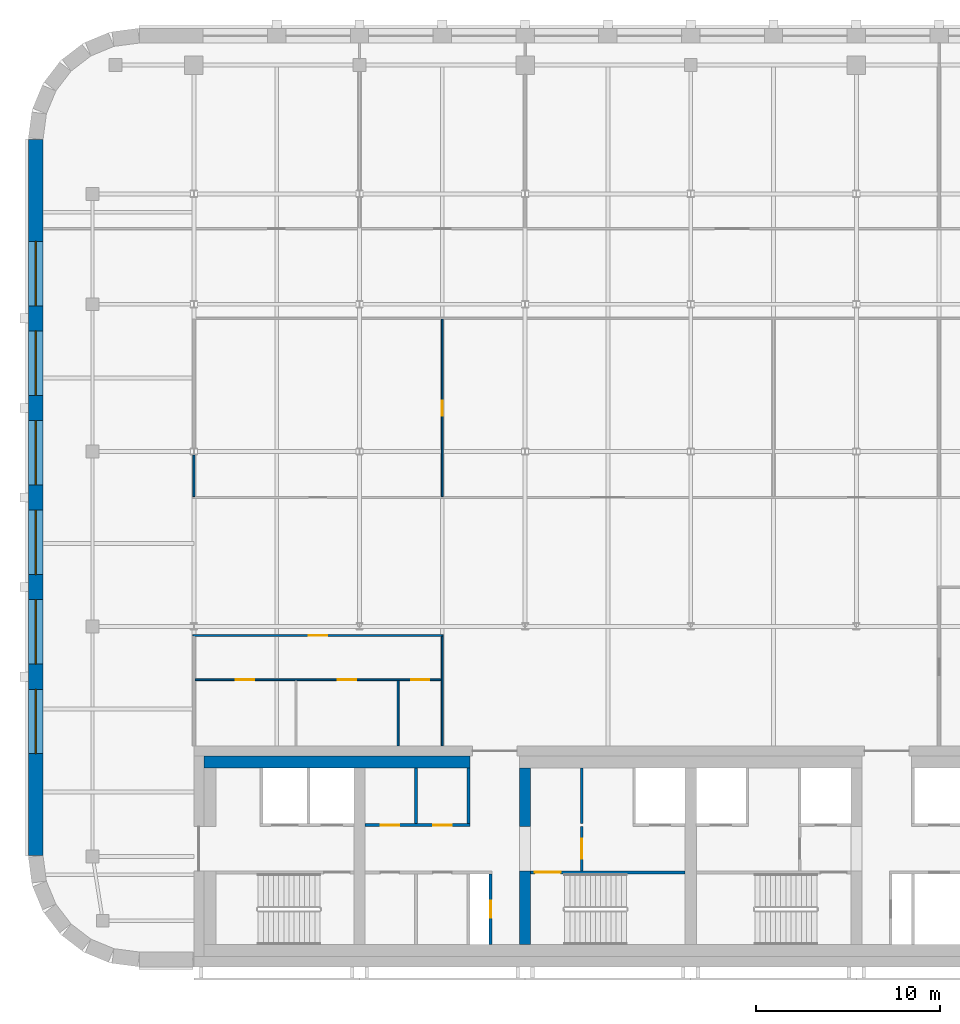
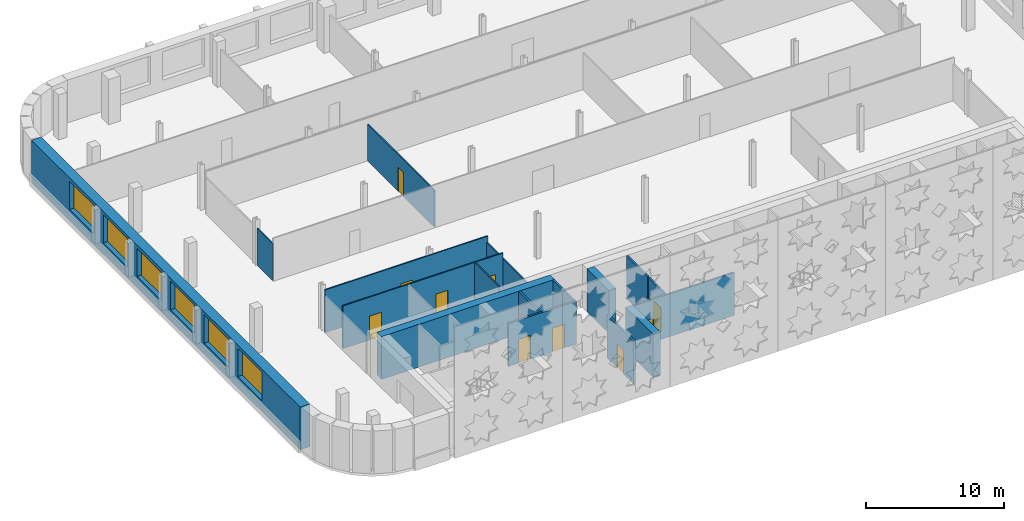
# One storey, part 7 of 15: 17 walls, 10 doors, 6 windows, 16 openings.
"""IFC4 building model written with IfcOpenShell, lengths in metres."""

from ifc_helpers import new_model, si_unit, direction, frame, frame_2d, origin, place, context, subcontext, project, spatial, rectangle, extrude, material, layer, layer_set, type_object, element, fill, save


model = new_model("IFC4")

# Units and contexts
model_context = context("Model", 3, precision=1e-05, world=origin(), true_north=direction((0.0, 1.0)))
body_context = subcontext(model_context, "Body", "Model", "MODEL_VIEW")
ifc_project = project(units=[si_unit("LENGTHUNIT", "METRE"), si_unit("AREAUNIT", "SQUARE_METRE"), si_unit("VOLUMEUNIT", "CUBIC_METRE"), si_unit("PLANEANGLEUNIT", "RADIAN"), si_unit("MASSUNIT", "GRAM", prefix="KILO")], contexts=[model_context])

# Site, building, storey
site_placement = place(None, origin())
site = spatial("IfcSite", under=ifc_project, at=site_placement, CompositionType="ELEMENT")
building_placement = place(site_placement, origin())
building = spatial("IfcBuilding", under=site, at=building_placement, Name="Zellij Exchange Tower", CompositionType="ELEMENT")
storey_placement = place(building_placement, frame((0.0, 0.0, 276.5)))
storey = spatial("IfcBuildingStorey", under=building, at=storey_placement, Name="L65", CompositionType="ELEMENT", Elevation=276.5)

# Walls
ifc_material_1 = material(Name="Concrete C50/60", Category="concrete")
ifc_layer_1 = layer(ifc_material_1, 0.60009765625)
ifc_layer_set_1 = layer_set([ifc_layer_1], Name="Concrete C50/60")
wall_type_1 = type_object("IfcWallType", Name="CORE-CW 600 C50/60", PredefinedType="SHEAR", material=ifc_layer_set_1)
wall_1_placement = place(storey_placement, frame((-9.0, -12.800048828125, 0.0), z_axis=(0.0, 0.0, 1.0), x_axis=(0.0, 1.0, 0.0)))
element("IfcWall", 1, at=wall_1_placement, inside=storey, type_object=wall_type_1, Name="Core cross wall pier x -9 a L65", PredefinedType="SHEAR", context=body_context, shape_type="SweptSolid", body=[
    extrude(rectangle(XDim=4.0, YDim=0.60009765625, at=frame_2d((2.0, 0.0))), origin(), (0.0, 0.0, 1.0), 3.780029296875),
])
wall_2_placement = place(storey_placement, frame((-9.0, -6.375, 0.0), z_axis=(0.0, 0.0, 1.0), x_axis=(0.0, 1.0, 0.0)))
element("IfcWall", 2, at=wall_2_placement, inside=storey, type_object=wall_type_1, Name="Core cross wall pier x -9 b L65", PredefinedType="SHEAR", context=body_context, shape_type="SweptSolid", body=[
    extrude(rectangle(XDim=3.175048828125, YDim=0.60009765625, at=frame_2d((1.58740234375, 0.0))), origin(), (0.0, 0.0, 1.0), 3.780029296875),
])
ifc_material_2 = material(Name="Concrete C30/37", Category="concrete")
ifc_layer_2 = layer(ifc_material_2, 0.64990234375)
ifc_layer_set_2 = layer_set([ifc_layer_2], Name="Concrete C30/37")
wall_type_2 = type_object("IfcWallType", Name="CORE-LW 650 C30/37", PredefinedType="SHEAR", material=ifc_layer_set_2)
wall_3_placement = place(storey_placement, frame((-26.449951171875, -2.875, 0.0), z_axis=(0.0, 0.0, 1.0), x_axis=(1.0, 0.0, 0.0)))
element("IfcWall", 3, at=wall_3_placement, inside=storey, type_object=wall_type_2, Name="Core wall lining front.0 L65", PredefinedType="SHEAR", context=body_context, shape_type="SweptSolid", body=[
    extrude(rectangle(XDim=14.449951171875, YDim=0.64990234375, at=frame_2d((7.22509765625, 0.0))), origin(), (0.0, 0.0, 1.0), 3.780029296875),
])

# Wall, opening, door
ifc_material_3 = material(Name="Gypsum shaft wall system")
ifc_layer_3 = layer(ifc_material_3, 0.14990234375)
ifc_layer_set_3 = layer_set([ifc_layer_3], Name="Gypsum shaft wall system")
wall_type_3 = type_object("IfcWallType", Name="CORE-PW 150 Firefighting lobby wall", PredefinedType="PARTITIONING", material=ifc_layer_set_3)
wall_4_placement = place(storey_placement, frame((-5.925048828125, -8.800048828125, 0.0), z_axis=(0.0, 0.0, 1.0), x_axis=(0.0, 1.0, 0.0)))
wall_4 = element("IfcWall", 4, at=wall_4_placement, inside=storey, type_object=wall_type_3, Name="Firefighting lobby wall L65", PredefinedType="PARTITIONING", context=body_context, shape_type="SweptSolid", body=[
    extrude(rectangle(XDim=2.425048828125, YDim=0.14990234375, at=frame_2d((1.21240234375, 0.0))), origin(), (0.0, 0.0, 1.0), 3.780029296875),
])
opening_1_placement = place(wall_4_placement, frame((0.662109375, 0.0, 0.0)))
opening_1 = element("IfcOpeningElement", 5, at=opening_1_placement, cuts=wall_4, Name="Opening CA-34.12", PredefinedType="OPENING", context=body_context, shape_type="SweptSolid", body=[
    extrude(rectangle(XDim=1.10009765625, YDim=2.10009765625, at=frame_2d((0.550048828125, 1.050048828125))), frame((0.0, 0.0869140625, 0.0), z_axis=(0.0, -1.0, 0.0), x_axis=(1.0, 0.0, 0.0)), (0.0, 0.0, 1.0), 0.173828125),
])
ifc_material_4 = material(Name="Hollow metal fire door")
door_type_1 = type_object("IfcDoorType", Name="CORE-D F Firefighting lobby door 1100x2100 1 HR", OperationType="NOTDEFINED", PredefinedType="DOOR", material=ifc_material_4)
door_1_placement = place(opening_1_placement, origin())
door_1 = element("IfcDoor", 6, at=door_1_placement, inside=storey, type_object=door_type_1, Name="Firefighting lobby door CA-34.12", OperationType="SINGLE_SWING_LEFT", OverallHeight=2.10009765625, OverallWidth=1.10009765625, PredefinedType="DOOR", context=body_context, shape_type="SweptSolid", body=[
    extrude(rectangle(XDim=1.10009765625, YDim=2.10009765625, at=frame_2d((0.550048828125, 1.050048828125))), frame((0.0, 0.02490234375, 0.0), z_axis=(0.0, -1.0, 0.0), x_axis=(1.0, 0.0, 0.0)), (0.0, 0.0, 1.0), 0.050048828125),
])
fill(opening_1, door_1)

# Walls
ifc_material_5 = material(Name="Gypsum board partition")
ifc_layer_4 = layer(ifc_material_5, 0.14990234375)
ifc_layer_set_4 = layer_set([ifc_layer_4], Name="Gypsum board partition")
wall_type_4 = type_object("IfcWallType", Name="CORE-PW 150 Lift lobby wall", PredefinedType="PARTITIONING", material=ifc_layer_set_4)
for number, where, z_axis, x_axis, name in (
    (7, (-12.074951171875, -6.22509765625, 0.0), (0.0, 0.0, 1.0), (0.0, 1.0, 0.0), "Lift lobby wall L65"),
    (8, (-14.925048828125, -6.22509765625, 0.0), (0.0, 0.0, 1.0), (0.0, 1.0, 0.0), "Lift lobby wall L65"),
    (9, (-5.925048828125, -6.22509765625, 0.0), (0.0, 0.0, 1.0), (0.0, 1.0, 0.0), "Lift lobby wall L65"),
):
    element("IfcWall", number, at=place(storey_placement, frame(where, z_axis=z_axis, x_axis=x_axis)), inside=storey, type_object=wall_type_4, Name=name, PredefinedType="PARTITIONING", context=body_context, shape_type="SweptSolid", body=[
        extrude(rectangle(XDim=3.025146484375, YDim=0.14990234375, at=frame_2d((1.5126953125, 0.0))), origin(), (0.0, 0.0, 1.0), 3.780029296875),
    ])

# Wall, opening, door
wall_5_placement = place(storey_placement, frame((-10.875, -12.800048828125, 0.0), z_axis=(0.0, 0.0, 1.0), x_axis=(0.0, 1.0, 0.0)))
wall_5 = element("IfcWall", 10, at=wall_5_placement, inside=storey, type_object=wall_type_4, Name="Lift lobby wall L65", PredefinedType="PARTITIONING", context=body_context, shape_type="SweptSolid", body=[
    extrude(rectangle(XDim=3.85009765625, YDim=0.14990234375, at=frame_2d((1.925048828125, 0.0))), origin(), (0.0, 0.0, 1.0), 3.780029296875),
])
opening_2_placement = place(wall_5_placement, frame((1.47509765625, 0.0, 0.0)))
opening_2 = element("IfcOpeningElement", 11, at=opening_2_placement, cuts=wall_5, Name="Opening CA-34.09", PredefinedType="OPENING", context=body_context, shape_type="SweptSolid", body=[
    extrude(rectangle(XDim=0.89990234375, YDim=2.10009765625, at=frame_2d((0.449951171875, 1.050048828125))), frame((0.0, 0.0869140625, 0.0), z_axis=(0.0, -1.0, 0.0), x_axis=(1.0, 0.0, 0.0)), (0.0, 0.0, 1.0), 0.173828125),
])
door_type_2 = type_object("IfcDoorType", Name="CORE-D RD Riser door 900x2100 1.5 HR", OperationType="NOTDEFINED", PredefinedType="DOOR", material=ifc_material_4)
door_2_placement = place(opening_2_placement, origin())
door_2 = element("IfcDoor", 12, at=door_2_placement, inside=storey, type_object=door_type_2, Name="Riser door CA-34.09", OperationType="SINGLE_SWING_RIGHT", OverallHeight=2.10009765625, OverallWidth=0.89990234375, PredefinedType="DOOR", context=body_context, shape_type="SweptSolid", body=[
    extrude(rectangle(XDim=0.89990234375, YDim=2.10009765625, at=frame_2d((0.449951171875, 1.050048828125))), frame((0.0, 0.02490234375, 0.0), z_axis=(0.0, -1.0, 0.0), x_axis=(1.0, 0.0, 0.0)), (0.0, 0.0, 1.0), 0.050048828125),
])
fill(opening_2, door_2)

# Wall, openings, doors
wall_6_placement = place(storey_placement, frame((-17.699951171875, -6.300048828125, 0.0), z_axis=(0.0, 0.0, 1.0), x_axis=(1.0, 0.0, 0.0)))
wall_6 = element("IfcWall", 13, at=wall_6_placement, inside=storey, type_object=wall_type_4, Name="Lift lobby wall L65", PredefinedType="PARTITIONING", context=body_context, shape_type="SweptSolid", body=[
    extrude(rectangle(XDim=5.699951171875, YDim=0.14990234375, at=frame_2d((2.85009765625, 0.0))), origin(), (0.0, 0.0, 1.0), 3.780029296875),
])
opening_3_placement = place(wall_6_placement, frame((0.85009765625, 0.0, 0.0)))
opening_3 = element("IfcOpeningElement", 14, at=opening_3_placement, cuts=wall_6, Name="Opening CA-34.06", PredefinedType="OPENING", context=body_context, shape_type="SweptSolid", body=[
    extrude(rectangle(XDim=1.0, YDim=2.10009765625, at=frame_2d((0.5, 1.050048828125))), frame((0.0, 0.0869140625, 0.0), z_axis=(0.0, -1.0, 0.0), x_axis=(1.0, 0.0, 0.0)), (0.0, 0.0, 1.0), 0.173828125),
])
opening_4_placement = place(wall_6_placement, frame((3.699951171875, 0.0, 0.0)))
opening_4 = element("IfcOpeningElement", 15, at=opening_4_placement, cuts=wall_6, Name="Opening CA-34.08", PredefinedType="OPENING", context=body_context, shape_type="SweptSolid", body=[
    extrude(rectangle(XDim=1.0, YDim=2.10009765625, at=frame_2d((0.5, 1.050048828125))), frame((0.0, 0.0869140625, 0.0), z_axis=(0.0, -1.0, 0.0), x_axis=(1.0, 0.0, 0.0)), (0.0, 0.0, 1.0), 0.173828125),
])
door_type_3 = type_object("IfcDoorType", Name="CORE-D CD Core room door 1000x2100 1 HR", OperationType="NOTDEFINED", PredefinedType="DOOR", material=ifc_material_4)
door_3_placement = place(opening_3_placement, origin())
door_3 = element("IfcDoor", 16, at=door_3_placement, inside=storey, type_object=door_type_3, Name="Core room door CA-34.06", OperationType="SINGLE_SWING_LEFT", OverallHeight=2.10009765625, OverallWidth=1.0, PredefinedType="DOOR", context=body_context, shape_type="SweptSolid", body=[
    extrude(rectangle(XDim=1.0, YDim=2.10009765625, at=frame_2d((0.5, 1.050048828125))), frame((0.0, 0.02490234375, 0.0), z_axis=(0.0, -1.0, 0.0), x_axis=(1.0, 0.0, 0.0)), (0.0, 0.0, 1.0), 0.050048828125),
])
fill(opening_3, door_3)
door_4_placement = place(opening_4_placement, origin())
door_4 = element("IfcDoor", 17, at=door_4_placement, inside=storey, type_object=door_type_3, Name="Core room door CA-34.08", OperationType="SINGLE_SWING_RIGHT", OverallHeight=2.10009765625, OverallWidth=1.0, PredefinedType="DOOR", context=body_context, shape_type="SweptSolid", body=[
    extrude(rectangle(XDim=1.0, YDim=2.10009765625, at=frame_2d((0.5, 1.050048828125))), frame((0.0, 0.02490234375, 0.0), z_axis=(0.0, -1.0, 0.0), x_axis=(1.0, 0.0, 0.0)), (0.0, 0.0, 1.0), 0.050048828125),
])
fill(opening_4, door_4)

# Wall, opening, door
ifc_layer_5 = layer(ifc_material_1, 0.14990234375)
ifc_layer_set_5 = layer_set([ifc_layer_5], Name="Concrete C50/60")
wall_type_5 = type_object("IfcWallType", Name="CORE-SWS 150 C50/60", PredefinedType="SHEAR", material=ifc_layer_set_5)
wall_7_placement = place(storey_placement, frame((-8.699951171875, -8.875, 0.0), z_axis=(0.0, 0.0, 1.0), x_axis=(1.0, 0.0, 0.0)))
wall_7 = element("IfcWall", 18, at=wall_7_placement, inside=storey, type_object=wall_type_5, Name="Stair enclosure wall L65", PredefinedType="SHEAR", context=body_context, shape_type="SweptSolid", body=[
    extrude(rectangle(XDim=8.39990234375, YDim=0.14990234375, at=frame_2d((4.199951171875, 0.0))), origin(), (0.0, 0.0, 1.0), 3.780029296875),
])
opening_5_placement = place(wall_7_placement, frame((0.22509765625, 0.0, 0.0)))
opening_5 = element("IfcOpeningElement", 19, at=opening_5_placement, cuts=wall_7, Name="Opening CA-34.11", PredefinedType="OPENING", context=body_context, shape_type="SweptSolid", body=[
    extrude(rectangle(XDim=1.39990234375, YDim=2.10009765625, at=frame_2d((0.699951171875, 1.050048828125))), frame((0.0, 0.0869140625, 0.0), z_axis=(0.0, -1.0, 0.0), x_axis=(1.0, 0.0, 0.0)), (0.0, 0.0, 1.0), 0.173828125),
])
door_type_4 = type_object("IfcDoorType", Name="CORE-D SD Stair door 1400x2100 1.5 HR", OperationType="NOTDEFINED", PredefinedType="DOOR", material=ifc_material_4)
door_5_placement = place(opening_5_placement, origin())
door_5 = element("IfcDoor", 20, at=door_5_placement, inside=storey, type_object=door_type_4, Name="Stair door CA-34.11", OperationType="DOUBLE_DOOR_SINGLE_SWING", OverallHeight=2.10009765625, OverallWidth=1.39990234375, PredefinedType="DOOR", context=body_context, shape_type="SweptSolid", body=[
    extrude(rectangle(XDim=1.39990234375, YDim=2.10009765625, at=frame_2d((0.699951171875, 1.050048828125))), frame((0.0, 0.02490234375, 0.0), z_axis=(0.0, -1.0, 0.0), x_axis=(1.0, 0.0, 0.0)), (0.0, 0.0, 1.0), 0.050048828125),
])
fill(opening_5, door_5)

# Wall, openings, windows
ifc_material_6 = material(Name="Precast concrete C40/50", Category="concrete")
ifc_layer_6 = layer(ifc_material_6, 0.800048828125)
ifc_layer_set_6 = layer_set([ifc_layer_6], Name="Precast concrete C40/50")
wall_type_6 = type_object("IfcWallType", Name="ENV-EW1 Precast stone-piered wall 800", PredefinedType="SOLIDWALL", material=ifc_layer_set_6)
wall_8_placement = place(storey_placement, frame((-35.60009765625, 30.947509765625, 0.0), z_axis=(0.0, 0.0, 1.0), x_axis=(0.0, -1.0, 0.0)))
wall_8 = element("IfcWall", 21, at=wall_8_placement, inside=storey, type_object=wall_type_6, Name="fac.L65.21", PredefinedType="SOLIDWALL", context=body_context, shape_type="SweptSolid", body=[
    extrude(rectangle(XDim=38.89501953125, YDim=0.800048828125, at=frame_2d((19.447509765625, 0.0))), origin(), (0.0, 0.0, 1.0), 3.780029296875),
])
opening_6_placement = place(wall_8_placement, frame((5.5263671875, 0.0, 1.0)))
opening_6 = element("IfcOpeningElement", 22, at=opening_6_placement, cuts=wall_8, Name="Opening FC1.19", PredefinedType="OPENING", context=body_context, shape_type="SweptSolid", body=[
    extrude(rectangle(XDim=3.5, YDim=2.5, at=frame_2d((1.75, 1.25))), frame((0.0, 0.412109375, 0.0), z_axis=(0.0, -1.0, 0.0), x_axis=(1.0, 0.0, 0.0)), (0.0, 0.0, 1.0), 0.823974609375),
])
opening_7_placement = place(wall_8_placement, frame((10.39501953125, 0.0, 1.0)))
opening_7 = element("IfcOpeningElement", 23, at=opening_7_placement, cuts=wall_8, Name="Opening FC1.20", PredefinedType="OPENING", context=body_context, shape_type="SweptSolid", body=[
    extrude(rectangle(XDim=3.5, YDim=2.5, at=frame_2d((1.75, 1.25))), frame((0.0, 0.412109375, 0.0), z_axis=(0.0, -1.0, 0.0), x_axis=(1.0, 0.0, 0.0)), (0.0, 0.0, 1.0), 0.823974609375),
])
opening_8_placement = place(wall_8_placement, frame((15.26318359375, 0.0, 1.0)))
opening_8 = element("IfcOpeningElement", 24, at=opening_8_placement, cuts=wall_8, Name="Opening FC1.21", PredefinedType="OPENING", context=body_context, shape_type="SweptSolid", body=[
    extrude(rectangle(XDim=3.5, YDim=2.5, at=frame_2d((1.75, 1.25))), frame((0.0, 0.412109375, 0.0), z_axis=(0.0, -1.0, 0.0), x_axis=(1.0, 0.0, 0.0)), (0.0, 0.0, 1.0), 0.823974609375),
])
opening_9_placement = place(wall_8_placement, frame((20.1318359375, 0.0, 1.0)))
opening_9 = element("IfcOpeningElement", 25, at=opening_9_placement, cuts=wall_8, Name="Opening FC1.22", PredefinedType="OPENING", context=body_context, shape_type="SweptSolid", body=[
    extrude(rectangle(XDim=3.5, YDim=2.5, at=frame_2d((1.75, 1.25))), frame((0.0, 0.412109375, 0.0), z_axis=(0.0, -1.0, 0.0), x_axis=(1.0, 0.0, 0.0)), (0.0, 0.0, 1.0), 0.823974609375),
])
opening_10_placement = place(wall_8_placement, frame((25.000244140625, 0.0, 1.0)))
opening_10 = element("IfcOpeningElement", 26, at=opening_10_placement, cuts=wall_8, Name="Opening FC1.23", PredefinedType="OPENING", context=body_context, shape_type="SweptSolid", body=[
    extrude(rectangle(XDim=3.5, YDim=2.5, at=frame_2d((1.75, 1.25))), frame((0.0, 0.412109375, 0.0), z_axis=(0.0, -1.0, 0.0), x_axis=(1.0, 0.0, 0.0)), (0.0, 0.0, 1.0), 0.823974609375),
])
opening_11_placement = place(wall_8_placement, frame((29.86865234375, 0.0, 1.0)))
opening_11 = element("IfcOpeningElement", 27, at=opening_11_placement, cuts=wall_8, Name="Opening FC1.24", PredefinedType="OPENING", context=body_context, shape_type="SweptSolid", body=[
    extrude(rectangle(XDim=3.5, YDim=2.5, at=frame_2d((1.75, 1.25))), frame((0.0, 0.412109375, 0.0), z_axis=(0.0, -1.0, 0.0), x_axis=(1.0, 0.0, 0.0)), (0.0, 0.0, 1.0), 0.823974609375),
])
ifc_material_7 = material(Name="Aluminium frame with insulating glass", Category="aluminium")
window_type = type_object("IfcWindowType", Name="ENV-W1 Window 3500x2500", PartitioningType="SINGLE_PANEL", PredefinedType="WINDOW", material=ifc_material_7)
window_1_placement = place(opening_6_placement, origin())
window_1 = element("IfcWindow", 28, at=window_1_placement, inside=storey, type_object=window_type, Name="Window FC1.19", OverallHeight=2.5, OverallWidth=3.5, PartitioningType="SINGLE_PANEL", PredefinedType="WINDOW", context=body_context, shape_type="SweptSolid", body=[
    extrude(rectangle(XDim=3.5, YDim=2.5, at=frame_2d((1.75, 1.25))), frame((0.0, 0.030029296875, 0.0), z_axis=(0.0, -1.0, 0.0), x_axis=(1.0, 0.0, 0.0)), (0.0, 0.0, 1.0), 0.06005859375),
])
fill(opening_6, window_1)
window_2_placement = place(opening_7_placement, origin())
window_2 = element("IfcWindow", 29, at=window_2_placement, inside=storey, type_object=window_type, Name="Window FC1.20", OverallHeight=2.5, OverallWidth=3.5, PartitioningType="SINGLE_PANEL", PredefinedType="WINDOW", context=body_context, shape_type="SweptSolid", body=[
    extrude(rectangle(XDim=3.5, YDim=2.5, at=frame_2d((1.75, 1.25))), frame((0.0, 0.030029296875, 0.0), z_axis=(0.0, -1.0, 0.0), x_axis=(1.0, 0.0, 0.0)), (0.0, 0.0, 1.0), 0.06005859375),
])
fill(opening_7, window_2)
window_3_placement = place(opening_8_placement, origin())
window_3 = element("IfcWindow", 30, at=window_3_placement, inside=storey, type_object=window_type, Name="Window FC1.21", OverallHeight=2.5, OverallWidth=3.5, PartitioningType="SINGLE_PANEL", PredefinedType="WINDOW", context=body_context, shape_type="SweptSolid", body=[
    extrude(rectangle(XDim=3.5, YDim=2.5, at=frame_2d((1.75, 1.25))), frame((0.0, 0.030029296875, 0.0), z_axis=(0.0, -1.0, 0.0), x_axis=(1.0, 0.0, 0.0)), (0.0, 0.0, 1.0), 0.06005859375),
])
fill(opening_8, window_3)
window_4_placement = place(opening_9_placement, origin())
window_4 = element("IfcWindow", 31, at=window_4_placement, inside=storey, type_object=window_type, Name="Window FC1.22", OverallHeight=2.5, OverallWidth=3.5, PartitioningType="SINGLE_PANEL", PredefinedType="WINDOW", context=body_context, shape_type="SweptSolid", body=[
    extrude(rectangle(XDim=3.5, YDim=2.5, at=frame_2d((1.75, 1.25))), frame((0.0, 0.030029296875, 0.0), z_axis=(0.0, -1.0, 0.0), x_axis=(1.0, 0.0, 0.0)), (0.0, 0.0, 1.0), 0.06005859375),
])
fill(opening_9, window_4)
window_5_placement = place(opening_10_placement, origin())
window_5 = element("IfcWindow", 32, at=window_5_placement, inside=storey, type_object=window_type, Name="Window FC1.23", OverallHeight=2.5, OverallWidth=3.5, PartitioningType="SINGLE_PANEL", PredefinedType="WINDOW", context=body_context, shape_type="SweptSolid", body=[
    extrude(rectangle(XDim=3.5, YDim=2.5, at=frame_2d((1.75, 1.25))), frame((0.0, 0.030029296875, 0.0), z_axis=(0.0, -1.0, 0.0), x_axis=(1.0, 0.0, 0.0)), (0.0, 0.0, 1.0), 0.06005859375),
])
fill(opening_10, window_5)
window_6_placement = place(opening_11_placement, origin())
window_6 = element("IfcWindow", 33, at=window_6_placement, inside=storey, type_object=window_type, Name="Window FC1.24", OverallHeight=2.5, OverallWidth=3.5, PartitioningType="SINGLE_PANEL", PredefinedType="WINDOW", context=body_context, shape_type="SweptSolid", body=[
    extrude(rectangle(XDim=3.5, YDim=2.5, at=frame_2d((1.75, 1.25))), frame((0.0, 0.030029296875, 0.0), z_axis=(0.0, -1.0, 0.0), x_axis=(1.0, 0.0, 0.0)), (0.0, 0.0, 1.0), 0.06005859375),
])
fill(opening_11, window_6)

# Walls
ifc_material_8 = material(Name="Gypsum board partition on steel studs", Category="steel")
ifc_layer_7 = layer(ifc_material_8, 0.10009765625)
ifc_layer_set_7 = layer_set([ifc_layer_7], Name="Gypsum board partition on steel studs")
wall_type_7 = type_object("IfcWallType", Name="FIT-PARTITION-100", PredefinedType="PARTITIONING", material=ifc_layer_set_7)
wall_9_placement = place(storey_placement, frame((-15.89990234375, -2.0, 0.0), z_axis=(0.0, 0.0, 1.0), x_axis=(0.0, 1.0, 0.0)))
element("IfcWall", 34, at=wall_9_placement, inside=storey, type_object=wall_type_7, Name="FIT-PARTITION-100 003", PredefinedType="PARTITIONING", context=body_context, shape_type="SweptSolid", body=[
    extrude(rectangle(XDim=3.550048828125, YDim=0.10009765625, at=frame_2d((1.77490234375, 0.0))), origin(), (0.0, 0.0, 1.0), 3.780029296875),
])
wall_10_placement = place(storey_placement, frame((-13.5, -2.0, 0.0), z_axis=(0.0, 0.0, 1.0), x_axis=(0.0, 1.0, 0.0)))
element("IfcWall", 35, at=wall_10_placement, inside=storey, type_object=wall_type_7, Name="FIT-PARTITION-100 004", PredefinedType="PARTITIONING", context=body_context, shape_type="SweptSolid", body=[
    extrude(rectangle(XDim=5.949951171875, YDim=0.10009765625, at=frame_2d((2.97509765625, 0.0))), origin(), (0.0, 0.0, 1.0), 3.24658203125),
])

# Wall, openings, doors
wall_11_placement = place(storey_placement, frame((-26.949951171875, 1.60009765625, 0.0), z_axis=(0.0, 0.0, 1.0), x_axis=(1.0, 0.0, 0.0)))
wall_11 = element("IfcWall", 36, at=wall_11_placement, inside=storey, type_object=wall_type_7, Name="FIT-PARTITION-100 008", PredefinedType="PARTITIONING", context=body_context, shape_type="SweptSolid", body=[
    extrude(rectangle(XDim=13.39990234375, YDim=0.10009765625, at=frame_2d((6.699951171875, 0.0))), origin(), (0.0, 0.0, 1.0), 3.780029296875),
])
opening_12_placement = place(wall_11_placement, frame((2.22509765625, 0.0, 0.0)))
opening_12 = element("IfcOpeningElement", 37, at=opening_12_placement, cuts=wall_11, Name="Opening EX2.01", PredefinedType="OPENING", context=body_context, shape_type="SweptSolid", body=[
    extrude(rectangle(XDim=1.0, YDim=2.10009765625, at=frame_2d((0.5, 1.050048828125))), frame((0.0, 0.06201171875, 0.0), z_axis=(0.0, -1.0, 0.0), x_axis=(1.0, 0.0, 0.0)), (0.0, 0.0, 1.0), 0.1240234375),
])
opening_13_placement = place(wall_11_placement, frame((7.77490234375, 0.0, 0.0)))
opening_13 = element("IfcOpeningElement", 38, at=opening_13_placement, cuts=wall_11, Name="Opening EX2.02", PredefinedType="OPENING", context=body_context, shape_type="SweptSolid", body=[
    extrude(rectangle(XDim=1.0, YDim=2.10009765625, at=frame_2d((0.5, 1.050048828125))), frame((0.0, 0.06201171875, 0.0), z_axis=(0.0, -1.0, 0.0), x_axis=(1.0, 0.0, 0.0)), (0.0, 0.0, 1.0), 0.1240234375),
])
opening_14_placement = place(wall_11_placement, frame((11.75, 0.0, 0.0)))
opening_14 = element("IfcOpeningElement", 39, at=opening_14_placement, cuts=wall_11, Name="Opening EX2.03", PredefinedType="OPENING", context=body_context, shape_type="SweptSolid", body=[
    extrude(rectangle(XDim=1.0, YDim=2.10009765625, at=frame_2d((0.5, 1.050048828125))), frame((0.0, 0.06201171875, 0.0), z_axis=(0.0, -1.0, 0.0), x_axis=(1.0, 0.0, 0.0)), (0.0, 0.0, 1.0), 0.1240234375),
])
ifc_material_9 = material(Name="Timber door set", Category="wood")
door_type_5 = type_object("IfcDoorType", Name="FIT-D2-WIDE-1000X2100", OperationType="SINGLE_SWING_LEFT", PredefinedType="DOOR", material=ifc_material_9)
door_6_placement = place(opening_12_placement, origin())
door_6 = element("IfcDoor", 40, at=door_6_placement, inside=storey, type_object=door_type_5, Name="Door EX2.01", OperationType="SINGLE_SWING_LEFT", OverallHeight=2.10009765625, OverallWidth=1.0, PredefinedType="DOOR", context=body_context, shape_type="SweptSolid", body=[
    extrude(rectangle(XDim=1.0, YDim=2.10009765625, at=frame_2d((0.5, 1.050048828125))), frame((0.0, 0.02490234375, 0.0), z_axis=(0.0, -1.0, 0.0), x_axis=(1.0, 0.0, 0.0)), (0.0, 0.0, 1.0), 0.050048828125),
])
fill(opening_12, door_6)
door_7_placement = place(opening_13_placement, origin())
door_7 = element("IfcDoor", 41, at=door_7_placement, inside=storey, type_object=door_type_5, Name="Door EX2.02", OperationType="SINGLE_SWING_LEFT", OverallHeight=2.10009765625, OverallWidth=1.0, PredefinedType="DOOR", context=body_context, shape_type="SweptSolid", body=[
    extrude(rectangle(XDim=1.0, YDim=2.10009765625, at=frame_2d((0.5, 1.050048828125))), frame((0.0, 0.02490234375, 0.0), z_axis=(0.0, -1.0, 0.0), x_axis=(1.0, 0.0, 0.0)), (0.0, 0.0, 1.0), 0.050048828125),
])
fill(opening_13, door_7)
door_8_placement = place(opening_14_placement, origin())
door_8 = element("IfcDoor", 42, at=door_8_placement, inside=storey, type_object=door_type_5, Name="Door EX2.03", OperationType="SINGLE_SWING_RIGHT", OverallHeight=2.10009765625, OverallWidth=1.0, PredefinedType="DOOR", context=body_context, shape_type="SweptSolid", body=[
    extrude(rectangle(XDim=1.0, YDim=2.10009765625, at=frame_2d((0.5, 1.050048828125))), frame((0.0, 0.02490234375, 0.0), z_axis=(0.0, -1.0, 0.0), x_axis=(1.0, 0.0, 0.0)), (0.0, 0.0, 1.0), 0.050048828125),
])
fill(opening_14, door_8)

# Wall, opening, door
wall_12_placement = place(storey_placement, frame((-27.050048828125, 4.0, 0.0), z_axis=(0.0, 0.0, 1.0), x_axis=(1.0, 0.0, 0.0)))
wall_12 = element("IfcWall", 43, at=wall_12_placement, inside=storey, type_object=wall_type_7, Name="FIT-PARTITION-100 009", PredefinedType="PARTITIONING", context=body_context, shape_type="SweptSolid", body=[
    extrude(rectangle(XDim=13.60009765625, YDim=0.10009765625, at=frame_2d((6.800048828125, 0.0))), origin(), (0.0, 0.0, 1.0), 3.780029296875),
])
opening_15_placement = place(wall_12_placement, frame((6.300048828125, 0.0, 0.0)))
opening_15 = element("IfcOpeningElement", 44, at=opening_15_placement, cuts=wall_12, Name="Opening EX2.05", PredefinedType="OPENING", context=body_context, shape_type="SweptSolid", body=[
    extrude(rectangle(XDim=1.0, YDim=2.10009765625, at=frame_2d((0.5, 1.050048828125))), frame((0.0, 0.06201171875, 0.0), z_axis=(0.0, -1.0, 0.0), x_axis=(1.0, 0.0, 0.0)), (0.0, 0.0, 1.0), 0.1240234375),
])
door_9_placement = place(opening_15_placement, origin())
door_9 = element("IfcDoor", 45, at=door_9_placement, inside=storey, type_object=door_type_5, Name="Door EX2.05", OperationType="SINGLE_SWING_LEFT", OverallHeight=2.10009765625, OverallWidth=1.0, PredefinedType="DOOR", context=body_context, shape_type="SweptSolid", body=[
    extrude(rectangle(XDim=1.0, YDim=2.10009765625, at=frame_2d((0.5, 1.050048828125))), frame((0.0, 0.02490234375, 0.0), z_axis=(0.0, -1.0, 0.0), x_axis=(1.0, 0.0, 0.0)), (0.0, 0.0, 1.0), 0.050048828125),
])
fill(opening_15, door_9)

# Wall
wall_13_placement = place(storey_placement, frame((-27.0, 11.550048828125, 0.0), z_axis=(0.0, 0.0, 1.0), x_axis=(0.0, 1.0, 0.0)))
element("IfcWall", 46, at=wall_13_placement, inside=storey, type_object=wall_type_7, Name="FIT-PARTITION-100 012", PredefinedType="PARTITIONING", context=body_context, shape_type="SweptSolid", body=[
    extrude(rectangle(XDim=2.26318359375, YDim=0.10009765625, at=frame_2d((1.131591796875, 0.0))), origin(), (0.0, 0.0, 1.0), 3.24658203125),
])

# Wall, opening, door
wall_14_placement = place(storey_placement, frame((-13.5, 11.550048828125, 0.0), z_axis=(0.0, 0.0, 1.0), x_axis=(0.0, 1.0, 0.0)))
wall_14 = element("IfcWall", 47, at=wall_14_placement, inside=storey, type_object=wall_type_7, Name="FIT-PARTITION-100 014", PredefinedType="PARTITIONING", context=body_context, shape_type="SweptSolid", body=[
    extrude(rectangle(XDim=9.639892578125, YDim=0.10009765625, at=frame_2d((4.81982421875, 0.0))), origin(), (0.0, 0.0, 1.0), 3.24658203125),
])
opening_16_placement = place(wall_14_placement, frame((4.39990234375, 0.0, 0.0)))
opening_16 = element("IfcOpeningElement", 48, at=opening_16_placement, cuts=wall_14, Name="Opening EX2.10", PredefinedType="OPENING", context=body_context, shape_type="SweptSolid", body=[
    extrude(rectangle(XDim=0.800048828125, YDim=2.10009765625, at=frame_2d((0.39990234375, 1.050048828125))), frame((0.0, 0.06201171875, 0.0), z_axis=(0.0, -1.0, 0.0), x_axis=(1.0, 0.0, 0.0)), (0.0, 0.0, 1.0), 0.1240234375),
])
door_type_6 = type_object("IfcDoorType", Name="FIT-D6-SERVICE-800X2100", OperationType="SINGLE_SWING_LEFT", PredefinedType="DOOR", material=ifc_material_9)
door_10_placement = place(opening_16_placement, origin())
door_10 = element("IfcDoor", 49, at=door_10_placement, inside=storey, type_object=door_type_6, Name="Door EX2.10", OperationType="SINGLE_SWING_LEFT", OverallHeight=2.10009765625, OverallWidth=0.800048828125, PredefinedType="DOOR", context=body_context, shape_type="SweptSolid", body=[
    extrude(rectangle(XDim=0.800048828125, YDim=2.10009765625, at=frame_2d((0.39990234375, 1.050048828125))), frame((0.0, 0.02490234375, 0.0), z_axis=(0.0, -1.0, 0.0), x_axis=(1.0, 0.0, 0.0)), (0.0, 0.0, 1.0), 0.050048828125),
])
fill(opening_16, door_10)

save(model, "model.ifc")
